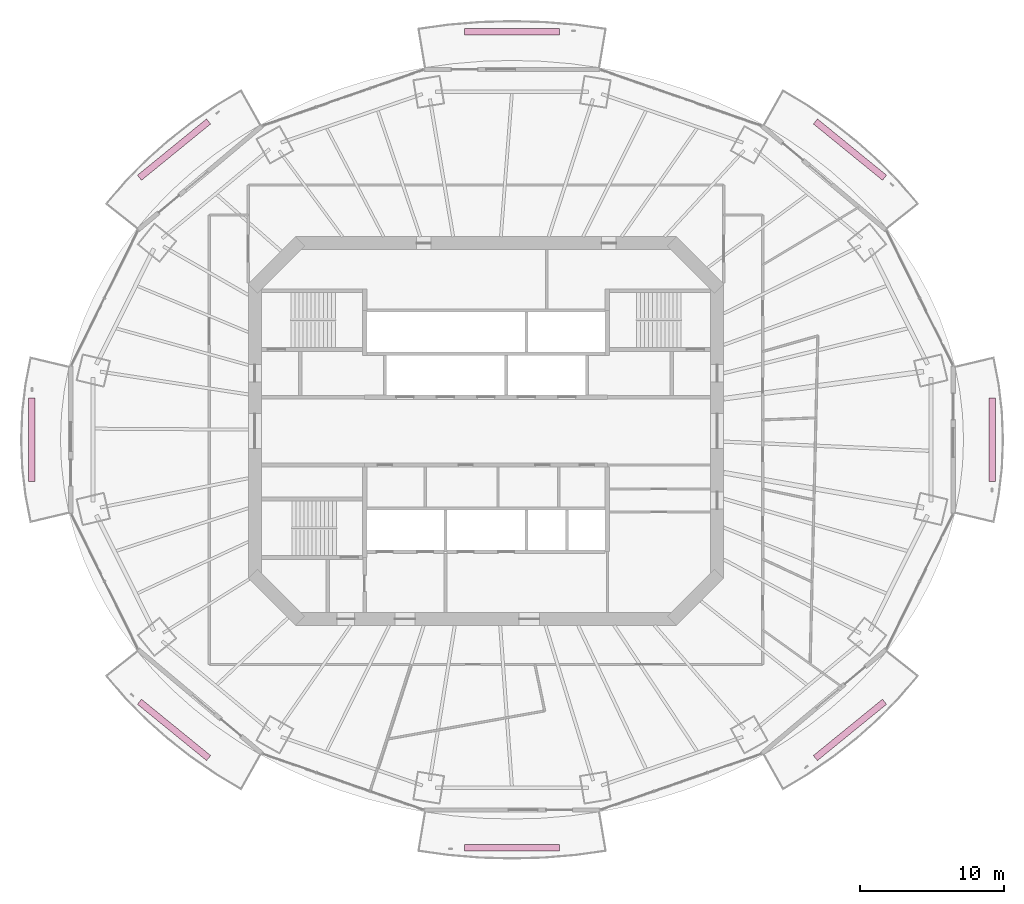
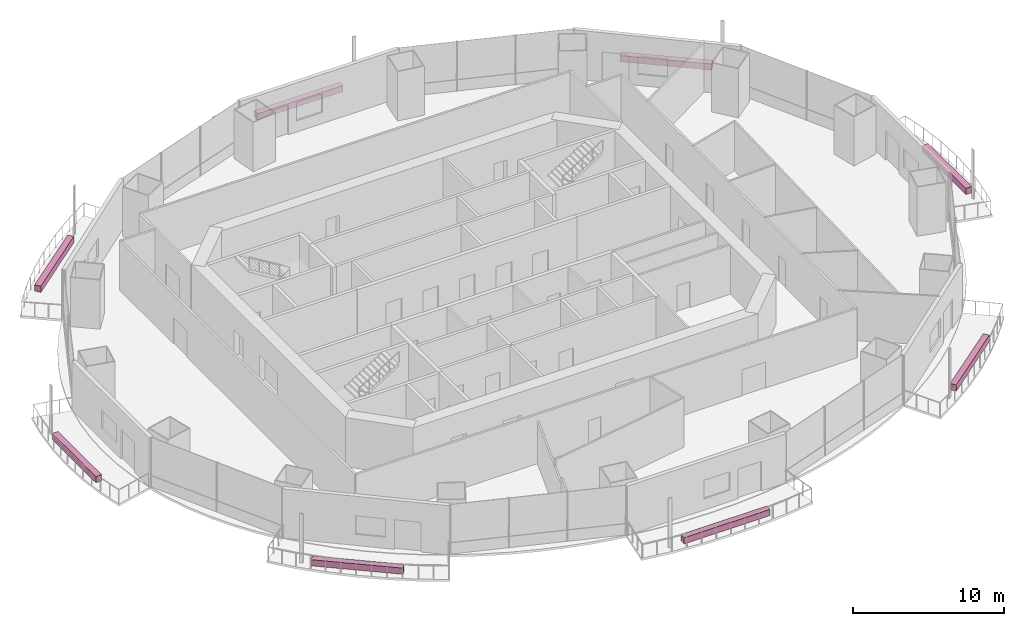
# One storey, part 20 of 20: 8 furnishings.
"""IFC4 building model written with IfcOpenShell, lengths in metres."""

from ifc_helpers import new_model, si_unit, direction, frame, origin, origin_2d, place, context, subcontext, project, spatial, rectangle, extrude, material, type_object, element, save


model = new_model("IFC4")

# Units and contexts
model_context = context("Model", 3, precision=1e-05, world=origin(), true_north=direction((0.0, 1.0)))
body_context = subcontext(model_context, "Body", "Model", "MODEL_VIEW")
ifc_project = project(units=[si_unit("LENGTHUNIT", "METRE"), si_unit("AREAUNIT", "SQUARE_METRE"), si_unit("VOLUMEUNIT", "CUBIC_METRE"), si_unit("PLANEANGLEUNIT", "RADIAN"), si_unit("MASSUNIT", "GRAM", prefix="KILO")], contexts=[model_context])

# Site, building, storey
site_placement = place(None, origin())
site = spatial("IfcSite", under=ifc_project, at=site_placement, CompositionType="ELEMENT")
building_placement = place(site_placement, origin())
building = spatial("IfcBuilding", under=site, at=building_placement, Name="Marenthal Gate Tower", CompositionType="ELEMENT")
storey_placement = place(building_placement, frame((0.0, 0.0, 210.85009765625)))
storey = spatial("IfcBuildingStorey", under=building, at=storey_placement, Name="L46", CompositionType="ELEMENT", Elevation=210.85009765625)

# Furnishings
ifc_material = material(Name="Planting soil and foliage", Category="planting")
furnishing_element_type = type_object("IfcFurnishingElementType", Name="Balcony PLANTER trough", material=ifc_material)
furnishing_1_placement = place(storey_placement, frame((25.189697265625, 19.4814453125, -0.0400390625), z_axis=(0.0, 0.0, 1.0), x_axis=(-0.775395522059, 0.631475877901, 0.0)))
element("IfcFurnishingElement", 1, at=furnishing_1_placement, inside=storey, type_object=furnishing_element_type, Name="Balcony PLANTER L46 bay 2", ObjectType="PLANTER", context=body_context, shape_type="SweptSolid", body=[
    extrude(rectangle(XDim=6.1689453125, YDim=0.449951171875, at=origin_2d()), origin(), (0.0, 0.0, 1.0), 0.5),
])
furnishing_2_placement = place(storey_placement, frame((1.800048828125, 27.64501953125, -0.0400390625), z_axis=(0.0, 0.0, 1.0), x_axis=(-1.0, 0.0, 0.0)))
element("IfcFurnishingElement", 2, at=furnishing_2_placement, inside=storey, type_object=furnishing_element_type, Name="Balcony PLANTER L46 bay 4", ObjectType="PLANTER", context=body_context, shape_type="SweptSolid", body=[
    extrude(rectangle(XDim=6.55810546875, YDim=0.449951171875, at=origin_2d()), origin(), (0.0, 0.0, 1.0), 0.5),
])
furnishing_3_placement = place(storey_placement, frame((-21.589599609375, 19.4814453125, -0.0400390625), z_axis=(0.0, 0.0, 1.0), x_axis=(-0.775395522059, -0.631475877901, 0.0)))
element("IfcFurnishingElement", 3, at=furnishing_3_placement, inside=storey, type_object=furnishing_element_type, Name="Balcony PLANTER L46 bay 6", ObjectType="PLANTER", context=body_context, shape_type="SweptSolid", body=[
    extrude(rectangle(XDim=6.1689453125, YDim=0.449951171875, at=origin_2d()), origin(), (0.0, 0.0, 1.0), 0.5),
])
furnishing_4_placement = place(storey_placement, frame((-31.445068359375, -0.60009765625, -0.0400390625), z_axis=(0.0, 0.0, 1.0), x_axis=(0.0, -1.0, 0.0)))
element("IfcFurnishingElement", 4, at=furnishing_4_placement, inside=storey, type_object=furnishing_element_type, Name="Balcony PLANTER L46 bay 8", ObjectType="PLANTER", context=body_context, shape_type="SweptSolid", body=[
    extrude(rectangle(XDim=5.766357421875, YDim=0.449951171875, at=origin_2d()), origin(), (0.0, 0.0, 1.0), 0.5),
])
furnishing_5_placement = place(storey_placement, frame((-21.589599609375, -20.681396484375, -0.0400390625), z_axis=(0.0, 0.0, 1.0), x_axis=(0.775395522059, -0.631475877901, 0.0)))
element("IfcFurnishingElement", 5, at=furnishing_5_placement, inside=storey, type_object=furnishing_element_type, Name="Balcony PLANTER L46 bay 10", ObjectType="PLANTER", context=body_context, shape_type="SweptSolid", body=[
    extrude(rectangle(XDim=6.1689453125, YDim=0.449951171875, at=origin_2d()), origin(), (0.0, 0.0, 1.0), 0.5),
])
furnishing_6_placement = place(storey_placement, frame((1.800048828125, -28.844970703125, -0.0400390625), z_axis=(0.0, 0.0, 1.0), x_axis=(1.0, 0.0, 0.0)))
element("IfcFurnishingElement", 6, at=furnishing_6_placement, inside=storey, type_object=furnishing_element_type, Name="Balcony PLANTER L46 bay 12", ObjectType="PLANTER", context=body_context, shape_type="SweptSolid", body=[
    extrude(rectangle(XDim=6.55810546875, YDim=0.449951171875, at=origin_2d()), origin(), (0.0, 0.0, 1.0), 0.5),
])
furnishing_7_placement = place(storey_placement, frame((25.189697265625, -20.681396484375, -0.0400390625), z_axis=(0.0, 0.0, 1.0), x_axis=(0.775395522059, 0.631475877901, 0.0)))
element("IfcFurnishingElement", 7, at=furnishing_7_placement, inside=storey, type_object=furnishing_element_type, Name="Balcony PLANTER L46 bay 14", ObjectType="PLANTER", context=body_context, shape_type="SweptSolid", body=[
    extrude(rectangle(XDim=6.1689453125, YDim=0.449951171875, at=origin_2d()), origin(), (0.0, 0.0, 1.0), 0.5),
])
furnishing_8_placement = place(storey_placement, frame((35.044921875, -0.60009765625, -0.0400390625), z_axis=(0.0, 0.0, 1.0), x_axis=(0.0, 1.0, 0.0)))
element("IfcFurnishingElement", 8, at=furnishing_8_placement, inside=storey, type_object=furnishing_element_type, Name="Balcony PLANTER L46 bay 16", ObjectType="PLANTER", context=body_context, shape_type="SweptSolid", body=[
    extrude(rectangle(XDim=5.766357421875, YDim=0.449951171875, at=origin_2d()), origin(), (0.0, 0.0, 1.0), 0.5),
])

save(model, "model.ifc")
